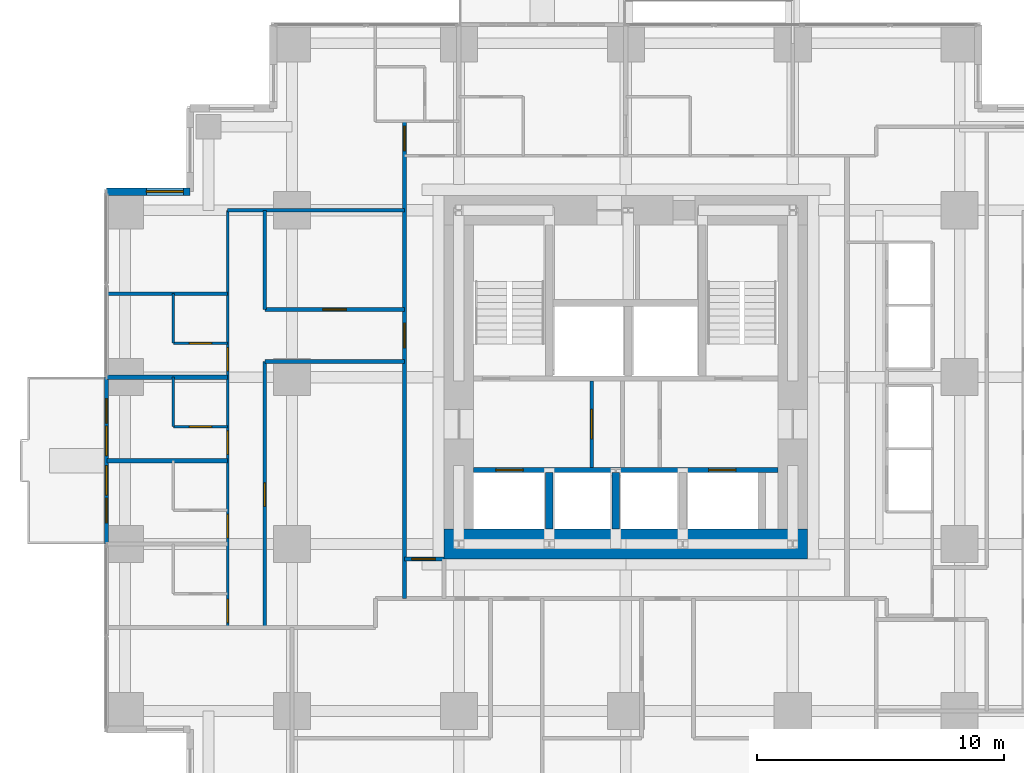
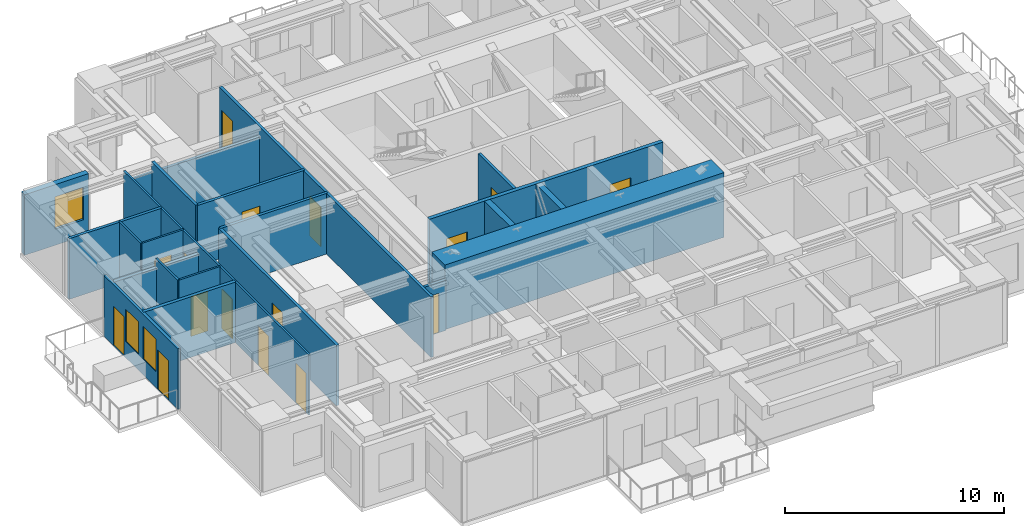
# One storey, part 8 of 13: 22 walls, 16 doors, 3 windows, 19 openings.
"""IFC4 building model written with IfcOpenShell, lengths in metres."""

from ifc_helpers import new_model, si_unit, direction, frame, frame_2d, origin, place, context, subcontext, project, spatial, rectangle, extrude, material, layer, layer_set, type_object, element, fill, save


model = new_model("IFC4")

# Units and contexts
model_context = context("Model", 3, precision=1e-05, world=origin(), true_north=direction((0.0, 1.0)))
body_context = subcontext(model_context, "Body", "Model", "MODEL_VIEW")
ifc_project = project(units=[si_unit("LENGTHUNIT", "METRE"), si_unit("AREAUNIT", "SQUARE_METRE"), si_unit("VOLUMEUNIT", "CUBIC_METRE"), si_unit("PLANEANGLEUNIT", "RADIAN"), si_unit("MASSUNIT", "GRAM", prefix="KILO")], contexts=[model_context])

# Site, building, storey
site_placement = place(None, origin())
site = spatial("IfcSite", under=ifc_project, at=site_placement, CompositionType="ELEMENT")
building_placement = place(site_placement, origin())
building = spatial("IfcBuilding", under=site, at=building_placement, Name="Nyansa Garden Tower", CompositionType="ELEMENT")
storey_placement = place(building_placement, frame((0.0, 0.0, 130.5)))
storey = spatial("IfcBuildingStorey", under=building, at=storey_placement, Name="L35", CompositionType="ELEMENT", Elevation=130.5)

# Walls
ifc_material_1 = material(Name="Dense blockwork, plastered both sides, 55 dB", Category="masonry")
ifc_layer_1 = layer(ifc_material_1, 0.175048828125)
ifc_layer_set_1 = layer_set([ifc_layer_1], Name="Acoustic party wall PW175")
wall_type_1 = type_object("IfcWallType", Name="Acoustic party wall PW175", PredefinedType="PARTITIONING", material=ifc_layer_set_1)
wall_1_placement = place(storey_placement, frame((-0.73388671875, 16.875, 0.0), z_axis=(0.0, 0.0, 1.0), x_axis=(1.0, 0.0, 0.0)))
element("IfcWall", 1, at=wall_1_placement, inside=storey, type_object=wall_type_1, Name="Party wall", PredefinedType="PARTITIONING", context=body_context, shape_type="SweptSolid", body=[
    extrude(rectangle(XDim=4.8837890625, YDim=0.175048828125, at=frame_2d((2.44189453125, 0.0))), origin(), (0.0, 0.0, 1.0), 3.375),
])
wall_2_placement = place(storey_placement, frame((-0.73388671875, 20.25, 0.0), z_axis=(0.0, 0.0, 1.0), x_axis=(1.0, 0.0, 0.0)))
element("IfcWall", 2, at=wall_2_placement, inside=storey, type_object=wall_type_1, Name="Party wall", PredefinedType="PARTITIONING", context=body_context, shape_type="SweptSolid", body=[
    extrude(rectangle(XDim=4.8837890625, YDim=0.175048828125, at=frame_2d((2.44189453125, 0.0))), origin(), (0.0, 0.0, 1.0), 2.876953125),
])

# Wall, openings, doors, windows
ifc_material_2 = material(Name="Black aluminium framed glazed screen", Category="aluminium")
ifc_layer_2 = layer(ifc_material_2, 0.14990234375)
ifc_layer_set_2 = layer_set([ifc_layer_2], Name="Balcony screen wall BW150")
wall_type_2 = type_object("IfcWallType", Name="Balcony screen wall BW150", PredefinedType="SOLIDWALL", material=ifc_layer_set_2)
wall_3_placement = place(storey_placement, frame((-0.75, 13.5, 0.0), z_axis=(0.0, 0.0, 1.0), x_axis=(0.0, 1.0, 0.0)))
wall_3 = element("IfcWall", 3, at=wall_3_placement, inside=storey, type_object=wall_type_2, Name="Glazed screen wall L35 W", PredefinedType="SOLIDWALL", context=body_context, shape_type="SweptSolid", body=[
    extrude(rectangle(XDim=6.75, YDim=0.14990234375, at=frame_2d((3.375, 0.0))), origin(), (0.0, 0.0, 1.0), 3.375),
])
opening_1_placement = place(wall_3_placement, frame((0.862548828125, 0.0, 0.0)))
opening_1 = element("IfcOpeningElement", 4, at=opening_1_placement, cuts=wall_3, Name="Opening D20", PredefinedType="OPENING", context=body_context, shape_type="SweptSolid", body=[
    extrude(rectangle(XDim=1.0, YDim=2.199951171875, at=frame_2d((0.5, 1.10009765625))), frame((0.0, 0.0849609375, 0.0), z_axis=(0.0, -1.0, 0.0), x_axis=(1.0, 0.0, 0.0)), (0.0, 0.0, 1.0), 0.169921875),
])
opening_2_placement = place(wall_3_placement, frame((1.97509765625, 0.0, 0.89990234375)))
opening_2 = element("IfcOpeningElement", 5, at=opening_2_placement, cuts=wall_3, Name="Opening W6", PredefinedType="OPENING", context=body_context, shape_type="SweptSolid", body=[
    extrude(rectangle(XDim=1.199951171875, YDim=1.800048828125, at=frame_2d((0.60009765625, 0.89990234375))), frame((0.0, 0.0849609375, 0.0), z_axis=(0.0, -1.0, 0.0), x_axis=(1.0, 0.0, 0.0)), (0.0, 0.0, 1.0), 0.169921875),
])
opening_3_placement = place(wall_3_placement, frame((4.887451171875, 0.0, 0.0)))
opening_3 = element("IfcOpeningElement", 6, at=opening_3_placement, cuts=wall_3, Name="Opening D20", PredefinedType="OPENING", context=body_context, shape_type="SweptSolid", body=[
    extrude(rectangle(XDim=1.0, YDim=2.199951171875, at=frame_2d((0.5, 1.10009765625))), frame((0.0, 0.0849609375, 0.0), z_axis=(0.0, -1.0, 0.0), x_axis=(1.0, 0.0, 0.0)), (0.0, 0.0, 1.0), 0.169921875),
])
opening_4_placement = place(wall_3_placement, frame((3.574951171875, 0.0, 0.89990234375)))
opening_4 = element("IfcOpeningElement", 7, at=opening_4_placement, cuts=wall_3, Name="Opening W6", PredefinedType="OPENING", context=body_context, shape_type="SweptSolid", body=[
    extrude(rectangle(XDim=1.199951171875, YDim=1.800048828125, at=frame_2d((0.60009765625, 0.89990234375))), frame((0.0, 0.0849609375, 0.0), z_axis=(0.0, -1.0, 0.0), x_axis=(1.0, 0.0, 0.0)), (0.0, 0.0, 1.0), 0.169921875),
])
ifc_material_3 = material(Name="Black aluminium framed glazed door", Category="aluminium")
door_type_1 = type_object("IfcDoorType", Name="Balcony door D20 1000x2200", OperationType="NOTDEFINED", PredefinedType="DOOR", material=ifc_material_3)
door_1_placement = place(opening_1_placement, origin())
door_1 = element("IfcDoor", 8, at=door_1_placement, inside=storey, type_object=door_type_1, Name="Balcony door L35", OperationType="SINGLE_SWING_LEFT", OverallHeight=2.199951171875, OverallWidth=1.0, PredefinedType="DOOR", context=body_context, shape_type="SweptSolid", body=[
    extrude(rectangle(XDim=1.0, YDim=2.199951171875, at=frame_2d((0.5, 1.10009765625))), frame((0.0, 0.02490234375, 0.0), z_axis=(0.0, -1.0, 0.0), x_axis=(1.0, 0.0, 0.0)), (0.0, 0.0, 1.0), 0.050048828125),
])
fill(opening_1, door_1)
door_2_placement = place(opening_3_placement, origin())
door_2 = element("IfcDoor", 9, at=door_2_placement, inside=storey, type_object=door_type_1, Name="Balcony door L35", OperationType="SINGLE_SWING_RIGHT", OverallHeight=2.199951171875, OverallWidth=1.0, PredefinedType="DOOR", context=body_context, shape_type="SweptSolid", body=[
    extrude(rectangle(XDim=1.0, YDim=2.199951171875, at=frame_2d((0.5, 1.10009765625))), frame((0.0, 0.02490234375, 0.0), z_axis=(0.0, -1.0, 0.0), x_axis=(1.0, 0.0, 0.0)), (0.0, 0.0, 1.0), 0.050048828125),
])
fill(opening_3, door_2)
ifc_material_4 = material(Name="Black aluminium frame, dark tinted double glazing", Category="aluminium")
window_type_1 = type_object("IfcWindowType", Name="Balcony window W6 1200x1800", PartitioningType="SINGLE_PANEL", PredefinedType="WINDOW", material=ifc_material_4)
window_1_placement = place(opening_2_placement, origin())
window_1 = element("IfcWindow", 10, at=window_1_placement, inside=storey, type_object=window_type_1, Name="Window L35", OverallHeight=1.800048828125, OverallWidth=1.199951171875, PartitioningType="SINGLE_PANEL", PredefinedType="WINDOW", context=body_context, shape_type="SweptSolid", body=[
    extrude(rectangle(XDim=1.199951171875, YDim=1.800048828125, at=frame_2d((0.60009765625, 0.89990234375))), frame((0.0, 0.030029296875, 0.0), z_axis=(0.0, -1.0, 0.0), x_axis=(1.0, 0.0, 0.0)), (0.0, 0.0, 1.0), 0.06005859375),
])
fill(opening_2, window_1)
window_2_placement = place(opening_4_placement, origin())
window_2 = element("IfcWindow", 11, at=window_2_placement, inside=storey, type_object=window_type_1, Name="Window L35", OverallHeight=1.800048828125, OverallWidth=1.199951171875, PartitioningType="SINGLE_PANEL", PredefinedType="WINDOW", context=body_context, shape_type="SweptSolid", body=[
    extrude(rectangle(XDim=1.199951171875, YDim=1.800048828125, at=frame_2d((0.60009765625, 0.89990234375))), frame((0.0, 0.030029296875, 0.0), z_axis=(0.0, -1.0, 0.0), x_axis=(1.0, 0.0, 0.0)), (0.0, 0.0, 1.0), 0.06005859375),
])
fill(opening_4, window_2)

# Wall, openings, doors
ifc_material_5 = material(Name="Concrete C70/85", Category="concrete")
ifc_layer_3 = layer(ifc_material_5, 0.199951171875)
ifc_layer_set_3 = layer_set([ifc_layer_3], Name="Core inner wall CI200")
wall_type_3 = type_object("IfcWallType", Name="Core inner wall CI200", PredefinedType="SHEAR", material=ifc_layer_set_3)
wall_4_placement = place(storey_placement, frame((14.10009765625, 16.5, 0.0), z_axis=(0.0, 0.0, 1.0), x_axis=(1.0, 0.0, 0.0)))
wall_4 = element("IfcWall", 12, at=wall_4_placement, inside=storey, type_object=wall_type_3, Name="Core inner wall L35", PredefinedType="SHEAR", context=body_context, shape_type="SweptSolid", body=[
    extrude(rectangle(XDim=12.2998046875, YDim=0.199951171875, at=frame_2d((6.14990234375, 0.0))), origin(), (0.0, 0.0, 1.0), 3.60009765625),
])
opening_5_placement = place(wall_4_placement, frame((0.89990234375, 0.0, 0.0)))
opening_5 = element("IfcOpeningElement", 13, at=opening_5_placement, cuts=wall_4, Name="Opening LD-F", PredefinedType="OPENING", context=body_context, shape_type="SweptSolid", body=[
    extrude(rectangle(XDim=1.10009765625, YDim=2.199951171875, at=frame_2d((0.550048828125, 1.10009765625))), frame((0.0, 0.10986328125, 0.0), z_axis=(0.0, -1.0, 0.0), x_axis=(1.0, 0.0, 0.0)), (0.0, 0.0, 1.0), 0.219970703125),
])
opening_6_placement = place(wall_4_placement, frame((9.5, 0.0, 0.0)))
opening_6 = element("IfcOpeningElement", 14, at=opening_6_placement, cuts=wall_4, Name="Opening LD-F", PredefinedType="OPENING", context=body_context, shape_type="SweptSolid", body=[
    extrude(rectangle(XDim=1.10009765625, YDim=2.199951171875, at=frame_2d((0.550048828125, 1.10009765625))), frame((0.0, 0.10986328125, 0.0), z_axis=(0.0, -1.0, 0.0), x_axis=(1.0, 0.0, 0.0)), (0.0, 0.0, 1.0), 0.219970703125),
])
ifc_material_6 = material(Name="Stainless steel centre-opening landing door of the firefighting lift, EN 81-72, E 120", Category="steel")
door_type_2 = type_object("IfcDoorType", Name="Lift landing door LD-F 1100x2200", OperationType="DOUBLE_DOOR_SLIDING", PredefinedType="DOOR", material=ifc_material_6)
door_3_placement = place(opening_5_placement, origin())
door_3 = element("IfcDoor", 15, at=door_3_placement, inside=storey, type_object=door_type_2, Name="Landing door FF1", OperationType="DOUBLE_DOOR_SLIDING", OverallHeight=2.199951171875, OverallWidth=1.10009765625, PredefinedType="DOOR", context=body_context, shape_type="SweptSolid", body=[
    extrude(rectangle(XDim=1.10009765625, YDim=2.199951171875, at=frame_2d((0.550048828125, 1.10009765625))), frame((0.0, 0.02490234375, 0.0), z_axis=(0.0, -1.0, 0.0), x_axis=(1.0, 0.0, 0.0)), (0.0, 0.0, 1.0), 0.050048828125),
])
fill(opening_5, door_3)
door_4_placement = place(opening_6_placement, origin())
door_4 = element("IfcDoor", 16, at=door_4_placement, inside=storey, type_object=door_type_2, Name="Landing door FF2", OperationType="DOUBLE_DOOR_SLIDING", OverallHeight=2.199951171875, OverallWidth=1.10009765625, PredefinedType="DOOR", context=body_context, shape_type="SweptSolid", body=[
    extrude(rectangle(XDim=1.10009765625, YDim=2.199951171875, at=frame_2d((0.550048828125, 1.10009765625))), frame((0.0, 0.02490234375, 0.0), z_axis=(0.0, -1.0, 0.0), x_axis=(1.0, 0.0, 0.0)), (0.0, 0.0, 1.0), 0.050048828125),
])
fill(opening_6, door_4)

# Walls
ifc_material_7 = material(Name="Concrete C70/85", Category="concrete")
ifc_layer_4 = layer(ifc_material_7, 0.300048828125)
ifc_layer_set_4 = layer_set([ifc_layer_4], Name="Core inner wall CI300")
wall_type_4 = type_object("IfcWallType", Name="Core inner wall CI300", PredefinedType="SHEAR", material=ifc_layer_set_4)
for number, where, z_axis, x_axis, name in (
    (17, (17.14990234375, 14.10009765625, 0.0), (0.0, 0.0, 1.0), (0.0, 1.0, 0.0), "Core inner wall L35"),
    (18, (19.85009765625, 14.10009765625, 0.0), (0.0, 0.0, 1.0), (0.0, 1.0, 0.0), "Core inner wall L35"),
):
    element("IfcWall", number, at=place(storey_placement, frame(where, z_axis=z_axis, x_axis=x_axis)), inside=storey, type_object=wall_type_4, Name=name, PredefinedType="SHEAR", context=body_context, shape_type="SweptSolid", body=[
        extrude(rectangle(XDim=2.2998046875, YDim=0.300048828125, at=frame_2d((1.14990234375, 0.0))), origin(), (0.0, 0.0, 1.0), 3.60009765625),
    ])
ifc_material_8 = material(Name="Concrete C80/95", Category="concrete")
ifc_layer_5 = layer(ifc_material_8, 1.199951171875)
ifc_layer_set_5 = layer_set([ifc_layer_5], Name="Core wall CW1200")
wall_type_5 = type_object("IfcWallType", Name="Core wall CW1200", PredefinedType="SHEAR", material=ifc_layer_set_5)
wall_5_placement = place(storey_placement, frame((12.89990234375, 13.5, 0.0), z_axis=(0.0, 0.0, 1.0), x_axis=(1.0, 0.0, 0.0)))
element("IfcWall", 19, at=wall_5_placement, inside=storey, type_object=wall_type_5, Name="Core wall S L35", PredefinedType="SHEAR", context=body_context, shape_type="SweptSolid", body=[
    extrude(rectangle(XDim=14.7001953125, YDim=1.199951171875, at=frame_2d((7.35009765625, 0.0))), origin(), (0.0, 0.0, 1.0), 3.60009765625),
])

# Wall, opening, door
ifc_material_9 = material(Name="Blockwork, plastered both sides", Category="masonry")
ifc_layer_6 = layer(ifc_material_9, 0.14990234375)
ifc_layer_set_6 = layer_set([ifc_layer_6], Name="Partition PW150")
wall_type_6 = type_object("IfcWallType", Name="Partition PW150", PredefinedType="PARTITIONING", material=ifc_layer_set_6)
wall_6_placement = place(storey_placement, frame((18.875, 16.60009765625, 0.0), z_axis=(0.0, 0.0, 1.0), x_axis=(0.0, 1.0, 0.0)))
wall_6 = element("IfcWall", 20, at=wall_6_placement, inside=storey, type_object=wall_type_6, Name="Partition", PredefinedType="PARTITIONING", context=body_context, shape_type="SweptSolid", body=[
    extrude(rectangle(XDim=3.5, YDim=0.14990234375, at=frame_2d((1.75, 0.0))), origin(), (0.0, 0.0, 1.0), 3.375),
])
opening_7_placement = place(wall_6_placement, frame((1.14990234375, 0.0, 0.0)))
opening_7 = element("IfcOpeningElement", 21, at=opening_7_placement, cuts=wall_6, Name="Opening D06", PredefinedType="OPENING", context=body_context, shape_type="SweptSolid", body=[
    extrude(rectangle(XDim=1.199951171875, YDim=2.199951171875, at=frame_2d((0.60009765625, 1.10009765625))), frame((0.0, 0.0849609375, 0.0), z_axis=(0.0, -1.0, 0.0), x_axis=(1.0, 0.0, 0.0)), (0.0, 0.0, 1.0), 0.169921875),
])
ifc_material_10 = material(Name="Steel door, 120 minute fire resisting", Category="steel")
door_type_3 = type_object("IfcDoorType", Name="Lobby door D06 1200x2200", OperationType="DOUBLE_DOOR_SINGLE_SWING", PredefinedType="DOOR", material=ifc_material_10)
door_5_placement = place(opening_7_placement, origin())
door_5 = element("IfcDoor", 22, at=door_5_placement, inside=storey, type_object=door_type_3, Name="Passenger lift lobby door", OperationType="DOUBLE_DOOR_SINGLE_SWING", OverallHeight=2.199951171875, OverallWidth=1.199951171875, PredefinedType="DOOR", context=body_context, shape_type="SweptSolid", body=[
    extrude(rectangle(XDim=1.199951171875, YDim=2.199951171875, at=frame_2d((0.60009765625, 1.10009765625))), frame((0.0, 0.02490234375, 0.0), z_axis=(0.0, -1.0, 0.0), x_axis=(1.0, 0.0, 0.0)), (0.0, 0.0, 1.0), 0.050048828125),
])
fill(opening_7, door_5)

# Walls
wall_7_placement = place(storey_placement, frame((-0.73388671875, 23.625, 0.0), z_axis=(0.0, 0.0, 1.0), x_axis=(1.0, 0.0, 0.0)))
element("IfcWall", 23, at=wall_7_placement, inside=storey, type_object=wall_type_6, Name="Partition", PredefinedType="PARTITIONING", context=body_context, shape_type="SweptSolid", body=[
    extrude(rectangle(XDim=4.8837890625, YDim=0.14990234375, at=frame_2d((2.44189453125, 0.0))), origin(), (0.0, 0.0, 1.0), 3.375),
])
wall_8_placement = place(storey_placement, frame((4.14990234375, 27.0, 0.0), z_axis=(0.0, 0.0, 1.0), x_axis=(1.0, 0.0, 0.0)))
element("IfcWall", 24, at=wall_8_placement, inside=storey, type_object=wall_type_6, Name="Partition", PredefinedType="PARTITIONING", context=body_context, shape_type="SweptSolid", body=[
    extrude(rectangle(XDim=7.150146484375, YDim=0.14990234375, at=frame_2d((3.5751953125, 0.0))), origin(), (0.0, 0.0, 1.0), 2.805908203125),
])

# Wall, opening, door
wall_9_placement = place(storey_placement, frame((5.64990234375, 10.125, 0.0), z_axis=(0.0, 0.0, 1.0), x_axis=(0.0, 1.0, 0.0)))
wall_9 = element("IfcWall", 25, at=wall_9_placement, inside=storey, type_object=wall_type_6, Name="Partition", PredefinedType="PARTITIONING", context=body_context, shape_type="SweptSolid", body=[
    extrude(rectangle(XDim=10.762451171875, YDim=0.14990234375, at=frame_2d((5.38134765625, 0.0))), origin(), (0.0, 0.0, 1.0), 3.375),
])
opening_8_placement = place(wall_9_placement, frame((4.89990234375, 0.0, 0.0)))
opening_8 = element("IfcOpeningElement", 26, at=opening_8_placement, cuts=wall_9, Name="Opening D01", PredefinedType="OPENING", context=body_context, shape_type="SweptSolid", body=[
    extrude(rectangle(XDim=0.949951171875, YDim=2.199951171875, at=frame_2d((0.47509765625, 1.10009765625))), frame((0.0, 0.0849609375, 0.0), z_axis=(0.0, -1.0, 0.0), x_axis=(1.0, 0.0, 0.0)), (0.0, 0.0, 1.0), 0.169921875),
])
ifc_material_11 = material(Name="Timber flush door, 30 minute fire resisting", Category="wood")
door_type_4 = type_object("IfcDoorType", Name="Bedroom door D01 950x2200", OperationType="SINGLE_SWING_LEFT", PredefinedType="DOOR", material=ifc_material_11)
door_6_placement = place(opening_8_placement, origin())
door_6 = element("IfcDoor", 27, at=door_6_placement, inside=storey, type_object=door_type_4, Name="Door L35-064", OperationType="SINGLE_SWING_LEFT", OverallHeight=2.199951171875, OverallWidth=0.949951171875, PredefinedType="DOOR", context=body_context, shape_type="SweptSolid", body=[
    extrude(rectangle(XDim=0.949951171875, YDim=2.199951171875, at=frame_2d((0.47509765625, 1.10009765625))), frame((0.0, 0.02490234375, 0.0), z_axis=(0.0, -1.0, 0.0), x_axis=(1.0, 0.0, 0.0)), (0.0, 0.0, 1.0), 0.050048828125),
])
fill(opening_8, door_6)

# Walls
wall_10_placement = place(storey_placement, frame((5.64990234375, 20.886962890625, 0.0), z_axis=(0.0, 0.0, 1.0), x_axis=(1.0, 0.0, 0.0)))
element("IfcWall", 28, at=wall_10_placement, inside=storey, type_object=wall_type_6, Name="Partition", PredefinedType="PARTITIONING", context=body_context, shape_type="SweptSolid", body=[
    extrude(rectangle(XDim=5.650146484375, YDim=0.14990234375, at=frame_2d((2.8251953125, 0.0))), origin(), (0.0, 0.0, 1.0), 3.375),
])
wall_11_placement = place(storey_placement, frame((5.64990234375, 22.987548828125, 0.0), z_axis=(0.0, 0.0, 1.0), x_axis=(0.0, 1.0, 0.0)))
element("IfcWall", 29, at=wall_11_placement, inside=storey, type_object=wall_type_6, Name="Partition", PredefinedType="PARTITIONING", context=body_context, shape_type="SweptSolid", body=[
    extrude(rectangle(XDim=4.012451171875, YDim=0.14990234375, at=frame_2d((2.00634765625, 0.0))), origin(), (0.0, 0.0, 1.0), 3.375),
])

# Wall, opening, door
wall_12_placement = place(storey_placement, frame((5.64990234375, 22.988037109375, 0.0), z_axis=(0.0, 0.0, 1.0), x_axis=(1.0, 0.0, 0.0)))
wall_12 = element("IfcWall", 30, at=wall_12_placement, inside=storey, type_object=wall_type_6, Name="Partition", PredefinedType="PARTITIONING", context=body_context, shape_type="SweptSolid", body=[
    extrude(rectangle(XDim=5.650146484375, YDim=0.14990234375, at=frame_2d((2.8251953125, 0.0))), origin(), (0.0, 0.0, 1.0), 3.375),
])
opening_9_placement = place(wall_12_placement, frame((2.35009765625, 0.0, 0.0)))
opening_9 = element("IfcOpeningElement", 31, at=opening_9_placement, cuts=wall_12, Name="Opening D01", PredefinedType="OPENING", context=body_context, shape_type="SweptSolid", body=[
    extrude(rectangle(XDim=0.949951171875, YDim=2.199951171875, at=frame_2d((0.47509765625, 1.10009765625))), frame((0.0, 0.0849609375, 0.0), z_axis=(0.0, -1.0, 0.0), x_axis=(1.0, 0.0, 0.0)), (0.0, 0.0, 1.0), 0.169921875),
])
door_7_placement = place(opening_9_placement, origin())
door_7 = element("IfcDoor", 32, at=door_7_placement, inside=storey, type_object=door_type_4, Name="Door L35-065", OperationType="SINGLE_SWING_LEFT", OverallHeight=2.199951171875, OverallWidth=0.949951171875, PredefinedType="DOOR", context=body_context, shape_type="SweptSolid", body=[
    extrude(rectangle(XDim=0.949951171875, YDim=2.199951171875, at=frame_2d((0.47509765625, 1.10009765625))), frame((0.0, 0.02490234375, 0.0), z_axis=(0.0, -1.0, 0.0), x_axis=(1.0, 0.0, 0.0)), (0.0, 0.0, 1.0), 0.050048828125),
])
fill(opening_9, door_7)

# Wall, openings, doors
wall_13_placement = place(storey_placement, frame((11.300048828125, 11.300048828125, 0.0), z_axis=(0.0, 0.0, 1.0), x_axis=(0.0, 1.0, 0.0)))
wall_13 = element("IfcWall", 33, at=wall_13_placement, inside=storey, type_object=wall_type_6, Name="Partition", PredefinedType="PARTITIONING", context=body_context, shape_type="SweptSolid", body=[
    extrude(rectangle(XDim=19.300048828125, YDim=0.14990234375, at=frame_2d((9.64990234375, 0.0))), origin(), (0.0, 0.0, 1.0), 3.375),
])
opening_10_placement = place(wall_13_placement, frame((18.10009765625, 0.0, 0.0)))
opening_10 = element("IfcOpeningElement", 34, at=opening_10_placement, cuts=wall_13, Name="Opening D03", PredefinedType="OPENING", context=body_context, shape_type="SweptSolid", body=[
    extrude(rectangle(XDim=1.0, YDim=2.199951171875, at=frame_2d((0.5, 1.10009765625))), frame((0.0, 0.0849609375, 0.0), z_axis=(0.0, -1.0, 0.0), x_axis=(1.0, 0.0, 0.0)), (0.0, 0.0, 1.0), 0.169921875),
])
opening_11_placement = place(wall_13_placement, frame((10.137451171875, 0.0, 0.0)))
opening_11 = element("IfcOpeningElement", 35, at=opening_11_placement, cuts=wall_13, Name="Opening D03", PredefinedType="OPENING", context=body_context, shape_type="SweptSolid", body=[
    extrude(rectangle(XDim=1.0, YDim=2.199951171875, at=frame_2d((0.5, 1.10009765625))), frame((0.0, 0.0849609375, 0.0), z_axis=(0.0, -1.0, 0.0), x_axis=(1.0, 0.0, 0.0)), (0.0, 0.0, 1.0), 0.169921875),
])
ifc_material_12 = material(Name="Timber flush door, 60 minute fire resisting", Category="wood")
door_type_5 = type_object("IfcDoorType", Name="Cluster entrance door D03 1000x2200", OperationType="SINGLE_SWING_LEFT", PredefinedType="DOOR", material=ifc_material_12)
door_8_placement = place(opening_10_placement, origin())
door_8 = element("IfcDoor", 36, at=door_8_placement, inside=storey, type_object=door_type_5, Name="Door L35-054", OperationType="SINGLE_SWING_LEFT", OverallHeight=2.199951171875, OverallWidth=1.0, PredefinedType="DOOR", context=body_context, shape_type="SweptSolid", body=[
    extrude(rectangle(XDim=1.0, YDim=2.199951171875, at=frame_2d((0.5, 1.10009765625))), frame((0.0, 0.02490234375, 0.0), z_axis=(0.0, -1.0, 0.0), x_axis=(1.0, 0.0, 0.0)), (0.0, 0.0, 1.0), 0.050048828125),
])
fill(opening_10, door_8)
door_9_placement = place(opening_11_placement, origin())
door_9 = element("IfcDoor", 37, at=door_9_placement, inside=storey, type_object=door_type_5, Name="Door L35-063", OperationType="SINGLE_SWING_LEFT", OverallHeight=2.199951171875, OverallWidth=1.0, PredefinedType="DOOR", context=body_context, shape_type="SweptSolid", body=[
    extrude(rectangle(XDim=1.0, YDim=2.199951171875, at=frame_2d((0.5, 1.10009765625))), frame((0.0, 0.02490234375, 0.0), z_axis=(0.0, -1.0, 0.0), x_axis=(1.0, 0.0, 0.0)), (0.0, 0.0, 1.0), 0.050048828125),
])
fill(opening_11, door_9)

# Wall, opening, door
wall_14_placement = place(storey_placement, frame((11.300048828125, 12.89990234375, 0.0), z_axis=(0.0, 0.0, 1.0), x_axis=(1.0, 0.0, 0.0)))
wall_14 = element("IfcWall", 38, at=wall_14_placement, inside=storey, type_object=wall_type_6, Name="Partition", PredefinedType="PARTITIONING", context=body_context, shape_type="SweptSolid", body=[
    extrude(rectangle(XDim=1.599853515625, YDim=0.14990234375, at=frame_2d((0.7998046875, 0.0))), origin(), (0.0, 0.0, 1.0), 2.805908203125),
])
opening_12_placement = place(wall_14_placement, frame((0.300048828125, 0.0, 0.0)))
opening_12 = element("IfcOpeningElement", 39, at=opening_12_placement, cuts=wall_14, Name="Opening D01", PredefinedType="OPENING", context=body_context, shape_type="SweptSolid", body=[
    extrude(rectangle(XDim=0.949951171875, YDim=2.199951171875, at=frame_2d((0.47509765625, 1.10009765625))), frame((0.0, 0.0849609375, 0.0), z_axis=(0.0, -1.0, 0.0), x_axis=(1.0, 0.0, 0.0)), (0.0, 0.0, 1.0), 0.169921875),
])
door_10_placement = place(opening_12_placement, origin())
door_10 = element("IfcDoor", 40, at=door_10_placement, inside=storey, type_object=door_type_4, Name="Door L35-017", OperationType="SINGLE_SWING_LEFT", OverallHeight=2.199951171875, OverallWidth=0.949951171875, PredefinedType="DOOR", context=body_context, shape_type="SweptSolid", body=[
    extrude(rectangle(XDim=0.949951171875, YDim=2.199951171875, at=frame_2d((0.47509765625, 1.10009765625))), frame((0.0, 0.02490234375, 0.0), z_axis=(0.0, -1.0, 0.0), x_axis=(1.0, 0.0, 0.0)), (0.0, 0.0, 1.0), 0.050048828125),
])
fill(opening_12, door_10)

# Wall, opening, window
ifc_material_13 = material(Name="Turquoise glazed tile on concrete blockwork", Category="masonry")
ifc_layer_7 = layer(ifc_material_13, 0.300048828125)
ifc_layer_set_7 = layer_set([ifc_layer_7], Name="Tiled corner wall TW300")
wall_type_7 = type_object("IfcWallType", Name="Tiled corner wall TW300", PredefinedType="SOLIDWALL", material=ifc_layer_set_7)
wall_15_placement = place(storey_placement, frame((2.625, 27.75, 0.0), z_axis=(0.0, 0.0, 1.0), x_axis=(-1.0, 0.0, 0.0)))
wall_15 = element("IfcWall", 41, at=wall_15_placement, inside=storey, type_object=wall_type_7, Name="Tiled corner wall L35", PredefinedType="SOLIDWALL", context=body_context, shape_type="SweptSolid", body=[
    extrude(rectangle(XDim=3.375, YDim=0.300048828125, at=frame_2d((1.6875, 0.0))), origin(), (0.0, 0.0, 1.0), 3.375),
])
opening_13_placement = place(wall_15_placement, frame((0.267578125, 0.0, 0.89990234375)))
opening_13 = element("IfcOpeningElement", 42, at=opening_13_placement, cuts=wall_15, Name="Opening W1", PredefinedType="OPENING", context=body_context, shape_type="SweptSolid", body=[
    extrude(rectangle(XDim=1.5, YDim=1.800048828125, at=frame_2d((0.75, 0.89990234375))), frame((0.0, 0.159912109375, 0.0), z_axis=(0.0, -1.0, 0.0), x_axis=(1.0, 0.0, 0.0)), (0.0, 0.0, 1.0), 0.320068359375),
])
ifc_material_14 = material(Name="Black aluminium frame, dark tinted double glazing", Category="aluminium")
window_type_2 = type_object("IfcWindowType", Name="Window W1 1500x1800", PartitioningType="SINGLE_PANEL", PredefinedType="WINDOW", material=ifc_material_14)
window_3_placement = place(opening_13_placement, origin())
window_3 = element("IfcWindow", 43, at=window_3_placement, inside=storey, type_object=window_type_2, Name="Corner window L35", OverallHeight=1.800048828125, OverallWidth=1.5, PartitioningType="SINGLE_PANEL", PredefinedType="WINDOW", context=body_context, shape_type="SweptSolid", body=[
    extrude(rectangle(XDim=1.5, YDim=1.800048828125, at=frame_2d((0.75, 0.89990234375))), frame((0.0, 0.030029296875, 0.0), z_axis=(0.0, -1.0, 0.0), x_axis=(1.0, 0.0, 0.0)), (0.0, 0.0, 1.0), 0.06005859375),
])
fill(opening_13, window_3)

# Wall
ifc_material_15 = material(Name="Moisture resistant board on steel studs, tiled", Category="steel")
ifc_layer_8 = layer(ifc_material_15, 0.10009765625)
ifc_layer_set_8 = layer_set([ifc_layer_8], Name="Wet wall PW100")
wall_type_8 = type_object("IfcWallType", Name="Wet wall PW100", PredefinedType="PARTITIONING", material=ifc_layer_set_8)
wall_16_placement = place(storey_placement, frame((1.949951171875, 18.25, 0.0), z_axis=(0.0, 0.0, 1.0), x_axis=(0.0, 1.0, 0.0)))
element("IfcWall", 44, at=wall_16_placement, inside=storey, type_object=wall_type_8, Name="Wet wall", PredefinedType="PARTITIONING", context=body_context, shape_type="SweptSolid", body=[
    extrude(rectangle(XDim=2.0, YDim=0.10009765625, at=frame_2d((1.0, 0.0))), origin(), (0.0, 0.0, 1.0), 3.375),
])

# Wall, opening, door
wall_17_placement = place(storey_placement, frame((1.949951171875, 18.25, 0.0), z_axis=(0.0, 0.0, 1.0), x_axis=(1.0, 0.0, 0.0)))
wall_17 = element("IfcWall", 45, at=wall_17_placement, inside=storey, type_object=wall_type_8, Name="Wet wall", PredefinedType="PARTITIONING", context=body_context, shape_type="SweptSolid", body=[
    extrude(rectangle(XDim=2.199951171875, YDim=0.10009765625, at=frame_2d((1.10009765625, 0.0))), origin(), (0.0, 0.0, 1.0), 3.375),
])
opening_14_placement = place(wall_17_placement, frame((0.64990234375, 0.0, 0.0)))
opening_14 = element("IfcOpeningElement", 46, at=opening_14_placement, cuts=wall_17, Name="Opening D02", PredefinedType="OPENING", context=body_context, shape_type="SweptSolid", body=[
    extrude(rectangle(XDim=0.89990234375, YDim=2.199951171875, at=frame_2d((0.449951171875, 1.10009765625))), frame((0.0, 0.06005859375, 0.0), z_axis=(0.0, -1.0, 0.0), x_axis=(1.0, 0.0, 0.0)), (0.0, 0.0, 1.0), 0.1201171875),
])
ifc_material_16 = material(Name="Timber flush door", Category="wood")
door_type_6 = type_object("IfcDoorType", Name="En-suite door D02 900x2200", OperationType="SINGLE_SWING_RIGHT", PredefinedType="DOOR", material=ifc_material_16)
door_11_placement = place(opening_14_placement, origin())
door_11 = element("IfcDoor", 47, at=door_11_placement, inside=storey, type_object=door_type_6, Name="Door L35-060", OperationType="SINGLE_SWING_RIGHT", OverallHeight=2.199951171875, OverallWidth=0.89990234375, PredefinedType="DOOR", context=body_context, shape_type="SweptSolid", body=[
    extrude(rectangle(XDim=0.89990234375, YDim=2.199951171875, at=frame_2d((0.449951171875, 1.10009765625))), frame((0.0, 0.02490234375, 0.0), z_axis=(0.0, -1.0, 0.0), x_axis=(1.0, 0.0, 0.0)), (0.0, 0.0, 1.0), 0.050048828125),
])
fill(opening_14, door_11)

# Wall
wall_18_placement = place(storey_placement, frame((1.949951171875, 21.625, 0.0), z_axis=(0.0, 0.0, 1.0), x_axis=(0.0, 1.0, 0.0)))
element("IfcWall", 48, at=wall_18_placement, inside=storey, type_object=wall_type_8, Name="Wet wall", PredefinedType="PARTITIONING", context=body_context, shape_type="SweptSolid", body=[
    extrude(rectangle(XDim=2.0, YDim=0.10009765625, at=frame_2d((1.0, 0.0))), origin(), (0.0, 0.0, 1.0), 3.375),
])

# Wall, opening, door
wall_19_placement = place(storey_placement, frame((1.949951171875, 21.625, 0.0), z_axis=(0.0, 0.0, 1.0), x_axis=(1.0, 0.0, 0.0)))
wall_19 = element("IfcWall", 49, at=wall_19_placement, inside=storey, type_object=wall_type_8, Name="Wet wall", PredefinedType="PARTITIONING", context=body_context, shape_type="SweptSolid", body=[
    extrude(rectangle(XDim=2.199951171875, YDim=0.10009765625, at=frame_2d((1.10009765625, 0.0))), origin(), (0.0, 0.0, 1.0), 3.375),
])
opening_15_placement = place(wall_19_placement, frame((0.64990234375, 0.0, 0.0)))
opening_15 = element("IfcOpeningElement", 50, at=opening_15_placement, cuts=wall_19, Name="Opening D02", PredefinedType="OPENING", context=body_context, shape_type="SweptSolid", body=[
    extrude(rectangle(XDim=0.89990234375, YDim=2.199951171875, at=frame_2d((0.449951171875, 1.10009765625))), frame((0.0, 0.06005859375, 0.0), z_axis=(0.0, -1.0, 0.0), x_axis=(1.0, 0.0, 0.0)), (0.0, 0.0, 1.0), 0.1201171875),
])
door_12_placement = place(opening_15_placement, origin())
door_12 = element("IfcDoor", 51, at=door_12_placement, inside=storey, type_object=door_type_6, Name="Door L35-062", OperationType="SINGLE_SWING_RIGHT", OverallHeight=2.199951171875, OverallWidth=0.89990234375, PredefinedType="DOOR", context=body_context, shape_type="SweptSolid", body=[
    extrude(rectangle(XDim=0.89990234375, YDim=2.199951171875, at=frame_2d((0.449951171875, 1.10009765625))), frame((0.0, 0.02490234375, 0.0), z_axis=(0.0, -1.0, 0.0), x_axis=(1.0, 0.0, 0.0)), (0.0, 0.0, 1.0), 0.050048828125),
])
fill(opening_15, door_12)

# Wall, openings, doors
wall_20_placement = place(storey_placement, frame((4.14990234375, 10.125, 0.0), z_axis=(0.0, 0.0, 1.0), x_axis=(0.0, 1.0, 0.0)))
wall_20 = element("IfcWall", 52, at=wall_20_placement, inside=storey, type_object=wall_type_8, Name="Wet wall", PredefinedType="PARTITIONING", context=body_context, shape_type="SweptSolid", body=[
    extrude(rectangle(XDim=16.875, YDim=0.10009765625, at=frame_2d((8.4375, 0.0))), origin(), (0.0, 0.0, 1.0), 3.375),
])
opening_16_placement = place(wall_20_placement, frame((0.199951171875, 0.0, 0.0)))
opening_16 = element("IfcOpeningElement", 53, at=opening_16_placement, cuts=wall_20, Name="Opening D14", PredefinedType="OPENING", context=body_context, shape_type="SweptSolid", body=[
    extrude(rectangle(XDim=0.949951171875, YDim=2.199951171875, at=frame_2d((0.47509765625, 1.10009765625))), frame((0.0, 0.06005859375, 0.0), z_axis=(0.0, -1.0, 0.0), x_axis=(1.0, 0.0, 0.0)), (0.0, 0.0, 1.0), 0.1201171875),
])
opening_17_placement = place(wall_20_placement, frame((3.625, 0.0, 0.0)))
opening_17 = element("IfcOpeningElement", 54, at=opening_17_placement, cuts=wall_20, Name="Opening D14", PredefinedType="OPENING", context=body_context, shape_type="SweptSolid", body=[
    extrude(rectangle(XDim=0.949951171875, YDim=2.199951171875, at=frame_2d((0.47509765625, 1.10009765625))), frame((0.0, 0.06005859375, 0.0), z_axis=(0.0, -1.0, 0.0), x_axis=(1.0, 0.0, 0.0)), (0.0, 0.0, 1.0), 0.1201171875),
])
opening_18_placement = place(wall_20_placement, frame((7.0, 0.0, 0.0)))
opening_18 = element("IfcOpeningElement", 55, at=opening_18_placement, cuts=wall_20, Name="Opening D14", PredefinedType="OPENING", context=body_context, shape_type="SweptSolid", body=[
    extrude(rectangle(XDim=0.949951171875, YDim=2.199951171875, at=frame_2d((0.47509765625, 1.10009765625))), frame((0.0, 0.06005859375, 0.0), z_axis=(0.0, -1.0, 0.0), x_axis=(1.0, 0.0, 0.0)), (0.0, 0.0, 1.0), 0.1201171875),
])
opening_19_placement = place(wall_20_placement, frame((10.375, 0.0, 0.0)))
opening_19 = element("IfcOpeningElement", 56, at=opening_19_placement, cuts=wall_20, Name="Opening D14", PredefinedType="OPENING", context=body_context, shape_type="SweptSolid", body=[
    extrude(rectangle(XDim=0.949951171875, YDim=2.199951171875, at=frame_2d((0.47509765625, 1.10009765625))), frame((0.0, 0.06005859375, 0.0), z_axis=(0.0, -1.0, 0.0), x_axis=(1.0, 0.0, 0.0)), (0.0, 0.0, 1.0), 0.1201171875),
])
ifc_material_17 = material(Name="Timber flush door, 60 minute fire resisting, self-closing", Category="wood")
door_type_7 = type_object("IfcDoorType", Name="Studio entrance door D14 950x2200", OperationType="SINGLE_SWING_LEFT", PredefinedType="DOOR", material=ifc_material_17)
door_13_placement = place(opening_16_placement, origin())
door_13 = element("IfcDoor", 57, at=door_13_placement, inside=storey, type_object=door_type_7, Name="Door L35-055", OperationType="SINGLE_SWING_LEFT", OverallHeight=2.199951171875, OverallWidth=0.949951171875, PredefinedType="DOOR", context=body_context, shape_type="SweptSolid", body=[
    extrude(rectangle(XDim=0.949951171875, YDim=2.199951171875, at=frame_2d((0.47509765625, 1.10009765625))), frame((0.0, 0.02490234375, 0.0), z_axis=(0.0, -1.0, 0.0), x_axis=(1.0, 0.0, 0.0)), (0.0, 0.0, 1.0), 0.050048828125),
])
fill(opening_16, door_13)
door_14_placement = place(opening_17_placement, origin())
door_14 = element("IfcDoor", 58, at=door_14_placement, inside=storey, type_object=door_type_7, Name="Door L35-057", OperationType="SINGLE_SWING_LEFT", OverallHeight=2.199951171875, OverallWidth=0.949951171875, PredefinedType="DOOR", context=body_context, shape_type="SweptSolid", body=[
    extrude(rectangle(XDim=0.949951171875, YDim=2.199951171875, at=frame_2d((0.47509765625, 1.10009765625))), frame((0.0, 0.02490234375, 0.0), z_axis=(0.0, -1.0, 0.0), x_axis=(1.0, 0.0, 0.0)), (0.0, 0.0, 1.0), 0.050048828125),
])
fill(opening_17, door_14)
door_15_placement = place(opening_18_placement, origin())
door_15 = element("IfcDoor", 59, at=door_15_placement, inside=storey, type_object=door_type_7, Name="Door L35-059", OperationType="SINGLE_SWING_LEFT", OverallHeight=2.199951171875, OverallWidth=0.949951171875, PredefinedType="DOOR", context=body_context, shape_type="SweptSolid", body=[
    extrude(rectangle(XDim=0.949951171875, YDim=2.199951171875, at=frame_2d((0.47509765625, 1.10009765625))), frame((0.0, 0.02490234375, 0.0), z_axis=(0.0, -1.0, 0.0), x_axis=(1.0, 0.0, 0.0)), (0.0, 0.0, 1.0), 0.050048828125),
])
fill(opening_18, door_15)
door_16_placement = place(opening_19_placement, origin())
door_16 = element("IfcDoor", 60, at=door_16_placement, inside=storey, type_object=door_type_7, Name="Door L35-061", OperationType="SINGLE_SWING_LEFT", OverallHeight=2.199951171875, OverallWidth=0.949951171875, PredefinedType="DOOR", context=body_context, shape_type="SweptSolid", body=[
    extrude(rectangle(XDim=0.949951171875, YDim=2.199951171875, at=frame_2d((0.47509765625, 1.10009765625))), frame((0.0, 0.02490234375, 0.0), z_axis=(0.0, -1.0, 0.0), x_axis=(1.0, 0.0, 0.0)), (0.0, 0.0, 1.0), 0.050048828125),
])
fill(opening_19, door_16)

save(model, "model.ifc")
